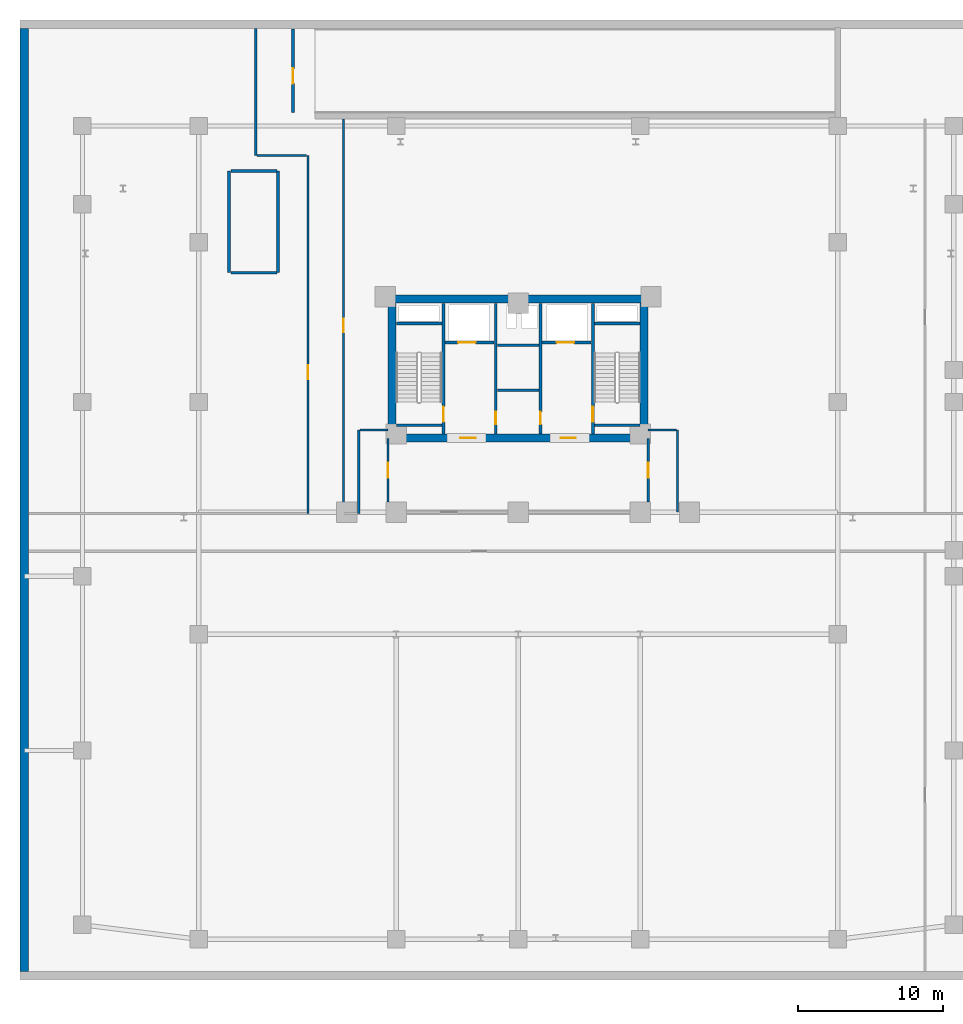
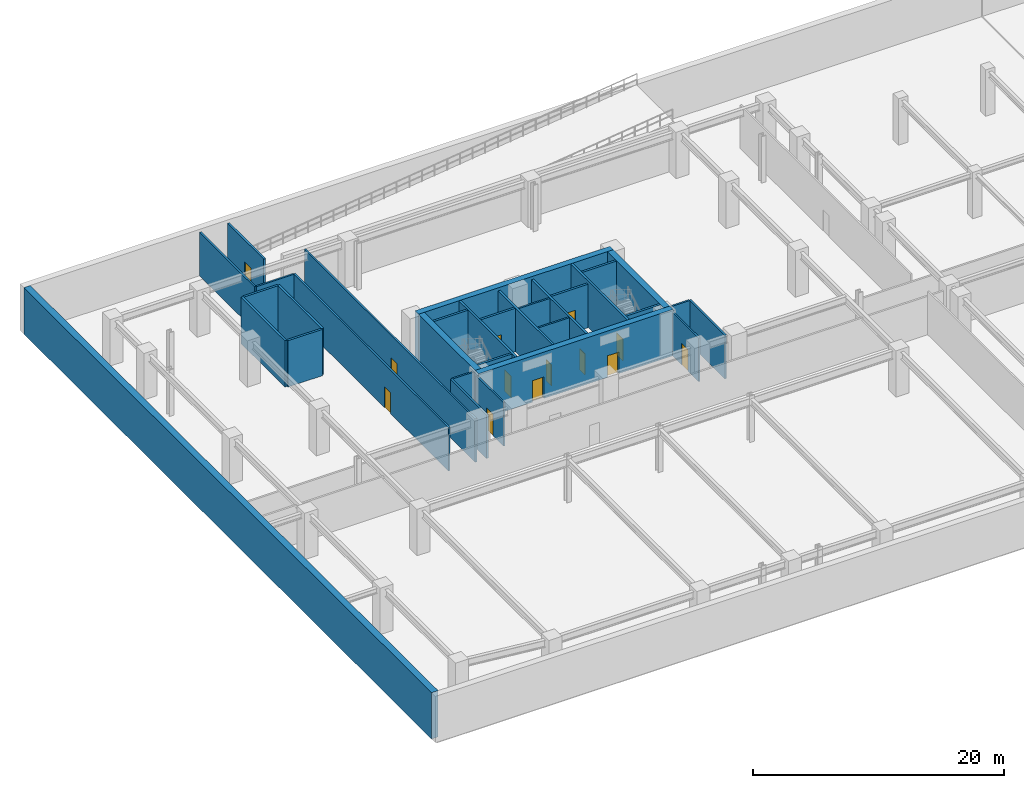
# One storey, part 9 of 15: 32 walls, 13 doors, 13 openings.
"""IFC4 building model written with IfcOpenShell, lengths in metres."""

from ifc_helpers import new_model, si_unit, derived_unit, direction, frame, frame_2d, origin, place, context, subcontext, project, spatial, rectangle, extrude, material, layer, layer_set, type_object, element, fill, save


model = new_model("IFC4")

# Units and contexts
model_context = context("Model", 3, precision=1e-05, world=origin(), true_north=direction((0.0, 1.0)))
body_context = subcontext(model_context, "Body", "Model", "MODEL_VIEW")
ifc_project = project(units=[si_unit("LENGTHUNIT", "METRE"), si_unit("AREAUNIT", "SQUARE_METRE"), si_unit("VOLUMEUNIT", "CUBIC_METRE"), si_unit("PLANEANGLEUNIT", "RADIAN"), si_unit("MASSUNIT", "GRAM", prefix="KILO"), derived_unit("THERMALTRANSMITTANCEUNIT", [(si_unit("POWERUNIT", "WATT"), 1), (si_unit("LENGTHUNIT", "METRE"), -2), (si_unit("THERMODYNAMICTEMPERATUREUNIT", "KELVIN"), -1)])], contexts=[model_context])

# Site, building, storey
site_placement = place(None, origin())
site = spatial("IfcSite", under=ifc_project, at=site_placement, CompositionType="ELEMENT")
building_placement = place(site_placement, origin())
building = spatial("IfcBuilding", under=site, at=building_placement, Name="Korsvarv Bourse and Concert Hall", CompositionType="ELEMENT")
storey_placement = place(building_placement, frame((0.0, 0.0, -4.5)))
storey = spatial("IfcBuildingStorey", under=building, at=storey_placement, Name="B01", CompositionType="ELEMENT", Elevation=-4.5)

# Walls
ifc_material_1 = material(Name="Concrete C50/60", Category="concrete")
ifc_layer_1 = layer(ifc_material_1, 0.3798828125)
ifc_layer_set_1 = layer_set([ifc_layer_1], Name="Concrete C50/60")
wall_type_1 = type_object("IfcWallType", Name="WL-CORE-380", PredefinedType="SHEAR", material=ifc_layer_set_1)
wall_1_placement = place(storey_placement, frame((16.10009765625, 48.919921875, 0.0), z_axis=(0.0, 0.0, 1.0), x_axis=(0.0, 1.0, 0.0)))
element("IfcWall", 1, at=wall_1_placement, inside=storey, type_object=wall_type_1, Name="B01 Podium Stair Substructure Wall W", PredefinedType="SHEAR", context=body_context, shape_type="SweptSolid", body=[
    extrude(rectangle(XDim=6.97998046875, YDim=0.199951171875, at=frame_2d((3.489990234375, 0.0))), origin(), (0.0, 0.0, 1.0), 4.5),
])
wall_2_placement = place(storey_placement, frame((16.219970703125, 55.89990234375, 0.0), z_axis=(0.0, 0.0, 1.0), x_axis=(1.0, 0.0, 0.0)))
element("IfcWall", 2, at=wall_2_placement, inside=storey, type_object=wall_type_1, Name="B01 Podium Stair Substructure Wall N", PredefinedType="SHEAR", context=body_context, shape_type="SweptSolid", body=[
    extrude(rectangle(XDim=3.159912109375, YDim=0.199951171875, at=frame_2d((1.580078125, 0.0))), origin(), (0.0, 0.0, 1.0), 4.5),
])
wall_3_placement = place(storey_placement, frame((19.4599609375, 48.919921875, 0.0), z_axis=(0.0, 0.0, 1.0), x_axis=(0.0, 1.0, 0.0)))
element("IfcWall", 3, at=wall_3_placement, inside=storey, type_object=wall_type_1, Name="B01 Podium Stair Substructure Wall E", PredefinedType="SHEAR", context=body_context, shape_type="SweptSolid", body=[
    extrude(rectangle(XDim=6.97998046875, YDim=0.199951171875, at=frame_2d((3.489990234375, 0.0))), origin(), (0.0, 0.0, 1.0), 4.5),
])
wall_4_placement = place(storey_placement, frame((16.219970703125, 48.89990234375, 0.0), z_axis=(0.0, 0.0, 1.0), x_axis=(1.0, 0.0, 0.0)))
element("IfcWall", 4, at=wall_4_placement, inside=storey, type_object=wall_type_1, Name="B01 Podium Stair Substructure Wall S", PredefinedType="SHEAR", context=body_context, shape_type="SweptSolid", body=[
    extrude(rectangle(XDim=3.159912109375, YDim=0.199951171875, at=frame_2d((1.580078125, 0.0))), origin(), (0.0, 0.0, 1.0), 4.5),
])

# Wall, opening, door
wall_5_placement = place(storey_placement, frame((30.860107421875, 37.81005859375, 0.0), z_axis=(0.0, 0.0, 1.0), x_axis=(0.0, 1.0, 0.0)))
wall_5 = element("IfcWall", 5, at=wall_5_placement, inside=storey, type_object=wall_type_1, Name="B01 stair shaft structural wall W-B01-ST1-E", PredefinedType="SHEAR", context=body_context, shape_type="SweptSolid", body=[
    extrude(rectangle(XDim=8.97998046875, YDim=0.199951171875, at=frame_2d((4.489990234375, 0.0))), origin(), (0.0, 0.0, 1.0), 4.5),
])
opening_1_placement = place(wall_5_placement, frame((0.820068359375, 0.0, 0.0)))
opening_1 = element("IfcOpeningElement", 6, at=opening_1_placement, cuts=wall_5, Name="Opening D-01", PredefinedType="OPENING", context=body_context, shape_type="SweptSolid", body=[
    extrude(rectangle(XDim=1.050048828125, YDim=2.10009765625, at=frame_2d((0.52490234375, 1.050048828125))), frame((0.0, 0.10986328125, 0.0), z_axis=(0.0, -1.0, 0.0), x_axis=(1.0, 0.0, 0.0)), (0.0, 0.0, 1.0), 0.219970703125),
])
ifc_material_2 = material(Name="Steel S355 fire door", Category="steel")
door_type_1 = type_object("IfcDoorType", Name="DR-FD60", OperationType="NOTDEFINED", PredefinedType="DOOR", material=ifc_material_2)
door_1_placement = place(opening_1_placement, origin())
door_1 = element("IfcDoor", 7, at=door_1_placement, inside=storey, type_object=door_type_1, Name="B01 interior door DR-B01-ST1", OperationType="SINGLE_SWING_LEFT", OverallHeight=2.10009765625, OverallWidth=1.050048828125, PredefinedType="DOOR", context=body_context, shape_type="SweptSolid", body=[
    extrude(rectangle(XDim=1.050048828125, YDim=2.10009765625, at=frame_2d((0.52490234375, 1.050048828125))), frame((0.0, 0.02490234375, 0.0), z_axis=(0.0, -1.0, 0.0), x_axis=(1.0, 0.0, 0.0)), (0.0, 0.0, 1.0), 0.050048828125),
])
fill(opening_1, door_1)

# Walls
for number, where, z_axis, x_axis, name in (
    (8, (27.610107421875, 45.39990234375, 0.0), (0.0, 0.0, 1.0), (1.0, 0.0, 0.0), "B01 stair shaft structural wall W-B01-ST1-N"),
    (9, (27.610107421875, 38.39990234375, 0.0), (0.0, 0.0, 1.0), (1.0, 0.0, 0.0), "B01 stair shaft structural wall W-B01-ST1-S"),
):
    element("IfcWall", number, at=place(storey_placement, frame(where, z_axis=z_axis, x_axis=x_axis)), inside=storey, type_object=wall_type_1, Name=name, PredefinedType="SHEAR", context=body_context, shape_type="SweptSolid", body=[
        extrude(rectangle(XDim=3.139892578125, YDim=0.199951171875, at=frame_2d((1.56982421875, 0.0))), origin(), (0.0, 0.0, 1.0), 4.5),
    ])

# Wall, opening, door
wall_6_placement = place(storey_placement, frame((41.139892578125, 37.81005859375, 0.0), z_axis=(0.0, 0.0, 1.0), x_axis=(0.0, 1.0, 0.0)))
wall_6 = element("IfcWall", 10, at=wall_6_placement, inside=storey, type_object=wall_type_1, Name="B01 stair shaft structural wall W-B01-ST2-W", PredefinedType="SHEAR", context=body_context, shape_type="SweptSolid", body=[
    extrude(rectangle(XDim=8.97998046875, YDim=0.199951171875, at=frame_2d((4.489990234375, 0.0))), origin(), (0.0, 0.0, 1.0), 4.5),
])
opening_2_placement = place(wall_6_placement, frame((0.820068359375, 0.0, 0.0)))
opening_2 = element("IfcOpeningElement", 11, at=opening_2_placement, cuts=wall_6, Name="Opening D-01", PredefinedType="OPENING", context=body_context, shape_type="SweptSolid", body=[
    extrude(rectangle(XDim=1.050048828125, YDim=2.10009765625, at=frame_2d((0.52490234375, 1.050048828125))), frame((0.0, 0.10986328125, 0.0), z_axis=(0.0, -1.0, 0.0), x_axis=(1.0, 0.0, 0.0)), (0.0, 0.0, 1.0), 0.219970703125),
])
door_2_placement = place(opening_2_placement, frame((1.050048828125, 0.0, 0.0), z_axis=(0.0, 0.0, 1.0), x_axis=(-1.0, 0.0, 0.0)))
door_2 = element("IfcDoor", 12, at=door_2_placement, inside=storey, type_object=door_type_1, Name="B01 interior door DR-B01-ST2", OperationType="SINGLE_SWING_RIGHT", OverallHeight=2.10009765625, OverallWidth=1.050048828125, PredefinedType="DOOR", context=body_context, shape_type="SweptSolid", body=[
    extrude(rectangle(XDim=1.050048828125, YDim=2.10009765625, at=frame_2d((0.52490234375, 1.050048828125))), frame((0.0, 0.02490234375, 0.0), z_axis=(0.0, -1.0, 0.0), x_axis=(1.0, 0.0, 0.0)), (0.0, 0.0, 1.0), 0.050048828125),
])
fill(opening_2, door_2)

# Walls
for number, where, z_axis, x_axis, name in (
    (13, (41.25, 45.39990234375, 0.0), (0.0, 0.0, 1.0), (1.0, 0.0, 0.0), "B01 stair shaft structural wall W-B01-ST2-N"),
    (14, (41.25, 38.39990234375, 0.0), (0.0, 0.0, 1.0), (1.0, 0.0, 0.0), "B01 stair shaft structural wall W-B01-ST2-S"),
):
    element("IfcWall", number, at=place(storey_placement, frame(where, z_axis=z_axis, x_axis=x_axis)), inside=storey, type_object=wall_type_1, Name=name, PredefinedType="SHEAR", context=body_context, shape_type="SweptSolid", body=[
        extrude(rectangle(XDim=3.139892578125, YDim=0.199951171875, at=frame_2d((1.56982421875, 0.0))), origin(), (0.0, 0.0, 1.0), 4.5),
    ])
ifc_material_3 = material(Name="Concrete C60/75", Category="concrete")
ifc_layer_2 = layer(ifc_material_3, 0.550048828125)
ifc_layer_set_2 = layer_set([ifc_layer_2], Name="Concrete C60/75")
wall_type_2 = type_object("IfcWallType", Name="WL-CORE-550", PredefinedType="SHEAR", material=ifc_layer_set_2)
wall_7_placement = place(storey_placement, frame((27.050048828125, 47.074951171875, 0.0), z_axis=(0.0, 0.0, 1.0), x_axis=(1.0, 0.0, 0.0)))
element("IfcWall", 15, at=wall_7_placement, inside=storey, type_object=wall_type_2, Name="B01 North Core Shear Wall", PredefinedType="SHEAR", context=body_context, shape_type="SweptSolid", body=[
    extrude(rectangle(XDim=17.89990234375, YDim=0.550048828125, at=frame_2d((8.949951171875, 0.0))), origin(), (0.0, 0.0, 1.0), 4.5),
])

# Wall, openings, doors
wall_8_placement = place(storey_placement, frame((27.050048828125, 37.52490234375, 0.0), z_axis=(0.0, 0.0, 1.0), x_axis=(1.0, 0.0, 0.0)))
wall_8 = element("IfcWall", 16, at=wall_8_placement, inside=storey, type_object=wall_type_2, Name="B01 South Core Shear Wall", PredefinedType="SHEAR", context=body_context, shape_type="SweptSolid", body=[
    extrude(rectangle(XDim=17.89990234375, YDim=0.550048828125, at=frame_2d((8.949951171875, 0.0))), origin(), (0.0, 0.0, 1.0), 4.5),
])
opening_3_placement = place(wall_8_placement, frame((4.97509765625, 0.0, 0.0)))
opening_3 = element("IfcOpeningElement", 17, at=opening_3_placement, cuts=wall_8, Name="Opening D-01", PredefinedType="OPENING", context=body_context, shape_type="SweptSolid", body=[
    extrude(rectangle(XDim=1.050048828125, YDim=2.10009765625, at=frame_2d((0.52490234375, 1.050048828125))), frame((0.0, 0.28515625, 0.0), z_axis=(0.0, -1.0, 0.0), x_axis=(1.0, 0.0, 0.0)), (0.0, 0.0, 1.0), 0.570068359375),
])
opening_4_placement = place(wall_8_placement, frame((11.875, 0.0, 0.0)))
opening_4 = element("IfcOpeningElement", 18, at=opening_4_placement, cuts=wall_8, Name="Opening D-01", PredefinedType="OPENING", context=body_context, shape_type="SweptSolid", body=[
    extrude(rectangle(XDim=1.050048828125, YDim=2.10009765625, at=frame_2d((0.52490234375, 1.050048828125))), frame((0.0, 0.28515625, 0.0), z_axis=(0.0, -1.0, 0.0), x_axis=(1.0, 0.0, 0.0)), (0.0, 0.0, 1.0), 0.570068359375),
])
door_3_placement = place(opening_3_placement, frame((1.050048828125, 0.0, 0.0), z_axis=(0.0, 0.0, 1.0), x_axis=(-1.0, 0.0, 0.0)))
door_3 = element("IfcDoor", 19, at=door_3_placement, inside=storey, type_object=door_type_1, Name="B01 firefighting lobby fire door DR-B01-FFLW", OperationType="SINGLE_SWING_LEFT", OverallHeight=2.10009765625, OverallWidth=1.050048828125, PredefinedType="DOOR", context=body_context, shape_type="SweptSolid", body=[
    extrude(rectangle(XDim=1.050048828125, YDim=2.10009765625, at=frame_2d((0.52490234375, 1.050048828125))), frame((0.0, 0.02490234375, 0.0), z_axis=(0.0, -1.0, 0.0), x_axis=(1.0, 0.0, 0.0)), (0.0, 0.0, 1.0), 0.050048828125),
])
fill(opening_3, door_3)
door_4_placement = place(opening_4_placement, frame((1.050048828125, 0.0, 0.0), z_axis=(0.0, 0.0, 1.0), x_axis=(-1.0, 0.0, 0.0)))
door_4 = element("IfcDoor", 20, at=door_4_placement, inside=storey, type_object=door_type_1, Name="B01 firefighting lobby fire door DR-B01-FFLE", OperationType="SINGLE_SWING_RIGHT", OverallHeight=2.10009765625, OverallWidth=1.050048828125, PredefinedType="DOOR", context=body_context, shape_type="SweptSolid", body=[
    extrude(rectangle(XDim=1.050048828125, YDim=2.10009765625, at=frame_2d((0.52490234375, 1.050048828125))), frame((0.0, 0.02490234375, 0.0), z_axis=(0.0, -1.0, 0.0), x_axis=(1.0, 0.0, 0.0)), (0.0, 0.0, 1.0), 0.050048828125),
])
fill(opening_4, door_4)

# Walls
for number, where, z_axis, x_axis, name in (
    (21, (27.324951171875, 37.800048828125, 0.0), (0.0, 0.0, 1.0), (0.0, 1.0, 0.0), "B01 West Core Shear Wall"),
    (22, (44.675048828125, 37.800048828125, 0.0), (0.0, 0.0, 1.0), (0.0, 1.0, 0.0), "B01 East Core Shear Wall"),
):
    element("IfcWall", number, at=place(storey_placement, frame(where, z_axis=z_axis, x_axis=x_axis)), inside=storey, type_object=wall_type_2, Name=name, PredefinedType="SHEAR", context=body_context, shape_type="SweptSolid", body=[
        extrude(rectangle(XDim=9.0, YDim=0.550048828125, at=frame_2d((4.5, 0.0))), origin(), (0.0, 0.0, 1.0), 4.5),
    ])

# Wall, opening, door
ifc_material_4 = material(Name="Reinforced concrete blockwork C35/45 fire wall", Category="concrete")
ifc_layer_3 = layer(ifc_material_4, 0.199951171875)
ifc_layer_set_3 = layer_set([ifc_layer_3], Name="Reinforced concrete blockwork C35/45 fire wall")
wall_type_3 = type_object("IfcWallType", Name="WL-INT-EI120", PredefinedType="PARTITIONING", material=ifc_layer_set_3)
wall_9_placement = place(storey_placement, frame((30.969970703125, 44.10009765625, 0.0), z_axis=(0.0, 0.0, 1.0), x_axis=(1.0, 0.0, 0.0)))
wall_9 = element("IfcWall", 23, at=wall_9_placement, inside=storey, type_object=wall_type_3, Name="B01 interior partition wall W-B01-FF1-S", PredefinedType="PARTITIONING", context=body_context, shape_type="SweptSolid", body=[
    extrude(rectangle(XDim=3.380126953125, YDim=0.199951171875, at=frame_2d((1.68994140625, 0.0))), origin(), (0.0, 0.0, 1.0), 4.219970703125),
])
opening_5_placement = place(wall_9_placement, frame((0.89990234375, 0.0, 0.0)))
opening_5 = element("IfcOpeningElement", 24, at=opening_5_placement, cuts=wall_9, Name="Opening LD-1", PredefinedType="OPENING", context=body_context, shape_type="SweptSolid", body=[
    extrude(rectangle(XDim=1.199951171875, YDim=2.10009765625, at=frame_2d((0.60009765625, 1.050048828125))), frame((0.0, 0.10986328125, 0.0), z_axis=(0.0, -1.0, 0.0), x_axis=(1.0, 0.0, 0.0)), (0.0, 0.0, 1.0), 0.219970703125),
])
ifc_material_5 = material(Name="Stainless Steel S355 firefighting lift landing door", Category="steel")
door_type_2 = type_object("IfcDoorType", Name="DR-LIFT-FF", OperationType="DOUBLE_DOOR_SLIDING", PredefinedType="DOOR", material=ifc_material_5)
door_5_placement = place(opening_5_placement, origin())
door_5 = element("IfcDoor", 25, at=door_5_placement, inside=storey, type_object=door_type_2, Name="B01 lift sliding landing door LD-B01-FF1", OperationType="DOUBLE_DOOR_SLIDING", OverallHeight=2.10009765625, OverallWidth=1.199951171875, PredefinedType="DOOR", context=body_context, shape_type="SweptSolid", body=[
    extrude(rectangle(XDim=1.199951171875, YDim=2.10009765625, at=frame_2d((0.60009765625, 1.050048828125))), frame((0.0, 0.02490234375, 0.0), z_axis=(0.0, -1.0, 0.0), x_axis=(1.0, 0.0, 0.0)), (0.0, 0.0, 1.0), 0.050048828125),
])
fill(opening_5, door_5)

wall_10_placement = place(storey_placement, frame((37.64990234375, 44.10009765625, 0.0), z_axis=(0.0, 0.0, 1.0), x_axis=(1.0, 0.0, 0.0)))
wall_10 = element("IfcWall", 26, at=wall_10_placement, inside=storey, type_object=wall_type_3, Name="B01 interior partition wall W-B01-FF2-S", PredefinedType="PARTITIONING", context=body_context, shape_type="SweptSolid", body=[
    extrude(rectangle(XDim=3.380126953125, YDim=0.199951171875, at=frame_2d((1.68994140625, 0.0))), origin(), (0.0, 0.0, 1.0), 4.219970703125),
])
opening_6_placement = place(wall_10_placement, frame((1.0, 0.0, 0.0)))
opening_6 = element("IfcOpeningElement", 27, at=opening_6_placement, cuts=wall_10, Name="Opening LD-1", PredefinedType="OPENING", context=body_context, shape_type="SweptSolid", body=[
    extrude(rectangle(XDim=1.199951171875, YDim=2.10009765625, at=frame_2d((0.60009765625, 1.050048828125))), frame((0.0, 0.10986328125, 0.0), z_axis=(0.0, -1.0, 0.0), x_axis=(1.0, 0.0, 0.0)), (0.0, 0.0, 1.0), 0.219970703125),
])
door_6_placement = place(opening_6_placement, origin())
door_6 = element("IfcDoor", 28, at=door_6_placement, inside=storey, type_object=door_type_2, Name="B01 lift sliding landing door LD-B01-FF2", OperationType="DOUBLE_DOOR_SLIDING", OverallHeight=2.10009765625, OverallWidth=1.199951171875, PredefinedType="DOOR", context=body_context, shape_type="SweptSolid", body=[
    extrude(rectangle(XDim=1.199951171875, YDim=2.10009765625, at=frame_2d((0.60009765625, 1.050048828125))), frame((0.0, 0.02490234375, 0.0), z_axis=(0.0, -1.0, 0.0), x_axis=(1.0, 0.0, 0.0)), (0.0, 0.0, 1.0), 0.050048828125),
])
fill(opening_6, door_6)

wall_11_placement = place(storey_placement, frame((34.4599609375, 37.81005859375, 0.0), z_axis=(0.0, 0.0, 1.0), x_axis=(0.0, 1.0, 0.0)))
wall_11 = element("IfcWall", 29, at=wall_11_placement, inside=storey, type_object=wall_type_3, Name="B01 interior partition wall W-B01-CSB-W", PredefinedType="PARTITIONING", context=body_context, shape_type="SweptSolid", body=[
    extrude(rectangle(XDim=8.97998046875, YDim=0.199951171875, at=frame_2d((4.489990234375, 0.0))), origin(), (0.0, 0.0, 1.0), 4.219970703125),
])
opening_7_placement = place(wall_11_placement, frame((0.64990234375, 0.0, 0.0)))
opening_7 = element("IfcOpeningElement", 30, at=opening_7_placement, cuts=wall_11, Name="Opening D-05", PredefinedType="OPENING", context=body_context, shape_type="SweptSolid", body=[
    extrude(rectangle(XDim=0.85009765625, YDim=2.050048828125, at=frame_2d((0.425048828125, 1.02490234375))), frame((0.0, 0.10986328125, 0.0), z_axis=(0.0, -1.0, 0.0), x_axis=(1.0, 0.0, 0.0)), (0.0, 0.0, 1.0), 0.219970703125),
])
door_type_3 = type_object("IfcDoorType", Name="DR-FD60-850X2050", OperationType="NOTDEFINED", PredefinedType="DOOR", material=ifc_material_2)
door_7_placement = place(opening_7_placement, frame((0.85009765625, 0.0, 0.0), z_axis=(0.0, 0.0, 1.0), x_axis=(-1.0, 0.0, 0.0)))
door_7 = element("IfcDoor", 31, at=door_7_placement, inside=storey, type_object=door_type_3, Name="B01 interior door DR-B01-CSB1", OperationType="SINGLE_SWING_LEFT", OverallHeight=2.050048828125, OverallWidth=0.85009765625, PredefinedType="DOOR", context=body_context, shape_type="SweptSolid", body=[
    extrude(rectangle(XDim=0.85009765625, YDim=2.050048828125, at=frame_2d((0.425048828125, 1.02490234375))), frame((0.0, 0.02490234375, 0.0), z_axis=(0.0, -1.0, 0.0), x_axis=(1.0, 0.0, 0.0)), (0.0, 0.0, 1.0), 0.050048828125),
])
fill(opening_7, door_7)

wall_12_placement = place(storey_placement, frame((37.5400390625, 37.81005859375, 0.0), z_axis=(0.0, 0.0, 1.0), x_axis=(0.0, 1.0, 0.0)))
wall_12 = element("IfcWall", 32, at=wall_12_placement, inside=storey, type_object=wall_type_3, Name="B01 interior partition wall W-B01-CSB-E", PredefinedType="PARTITIONING", context=body_context, shape_type="SweptSolid", body=[
    extrude(rectangle(XDim=8.97998046875, YDim=0.199951171875, at=frame_2d((4.489990234375, 0.0))), origin(), (0.0, 0.0, 1.0), 4.219970703125),
])
opening_8_placement = place(wall_12_placement, frame((0.64990234375, 0.0, 0.0)))
opening_8 = element("IfcOpeningElement", 33, at=opening_8_placement, cuts=wall_12, Name="Opening D-05", PredefinedType="OPENING", context=body_context, shape_type="SweptSolid", body=[
    extrude(rectangle(XDim=0.85009765625, YDim=2.050048828125, at=frame_2d((0.425048828125, 1.02490234375))), frame((0.0, 0.10986328125, 0.0), z_axis=(0.0, -1.0, 0.0), x_axis=(1.0, 0.0, 0.0)), (0.0, 0.0, 1.0), 0.219970703125),
])
door_8_placement = place(opening_8_placement, origin())
door_8 = element("IfcDoor", 34, at=door_8_placement, inside=storey, type_object=door_type_3, Name="B01 interior door DR-B01-CSB2", OperationType="SINGLE_SWING_RIGHT", OverallHeight=2.050048828125, OverallWidth=0.85009765625, PredefinedType="DOOR", context=body_context, shape_type="SweptSolid", body=[
    extrude(rectangle(XDim=0.85009765625, YDim=2.050048828125, at=frame_2d((0.425048828125, 1.02490234375))), frame((0.0, 0.02490234375, 0.0), z_axis=(0.0, -1.0, 0.0), x_axis=(1.0, 0.0, 0.0)), (0.0, 0.0, 1.0), 0.050048828125),
])
fill(opening_8, door_8)

# Walls
ifc_material_6 = material(Name="Double-stud fire-rated acoustic partition", Category="gypsum")
ifc_layer_4 = layer(ifc_material_6, 0.159912109375)
ifc_layer_set_4 = layer_set([ifc_layer_4], Name="Double-stud fire-rated acoustic partition")
wall_type_4 = type_object("IfcWallType", Name="WL-INT-EI60", PredefinedType="PARTITIONING", material=ifc_layer_set_4)
for number, where, z_axis, x_axis, name in (
    (35, (34.570068359375, 40.800048828125, 0.0), (0.0, 0.0, 1.0), (1.0, 0.0, 0.0), "B01 interior partition wall W-B01-K1"),
    (36, (34.570068359375, 43.89990234375, 0.0), (0.0, 0.0, 1.0), (1.0, 0.0, 0.0), "B01 interior partition wall W-B01-K2"),
):
    element("IfcWall", number, at=place(storey_placement, frame(where, z_axis=z_axis, x_axis=x_axis)), inside=storey, type_object=wall_type_4, Name=name, PredefinedType="PARTITIONING", context=body_context, shape_type="SweptSolid", body=[
        extrude(rectangle(XDim=2.85986328125, YDim=0.159912109375, at=frame_2d((1.429931640625, 0.0))), origin(), (0.0, 0.0, 1.0), 4.219970703125),
    ])

# Wall, opening, door
wall_13_placement = place(storey_placement, frame((27.0400390625, 33.1201171875, 0.0), z_axis=(0.0, 0.0, 1.0), x_axis=(0.0, 1.0, 0.0)))
wall_13 = element("IfcWall", 37, at=wall_13_placement, inside=storey, type_object=wall_type_4, Name="B01 interior partition wall W-B01-CB-W", PredefinedType="PARTITIONING", context=body_context, shape_type="SweptSolid", body=[
    extrude(rectangle(XDim=4.3798828125, YDim=0.159912109375, at=frame_2d((2.18994140625, 0.0))), origin(), (0.0, 0.0, 1.0), 4.219970703125),
])
opening_9_placement = place(wall_13_placement, frame((1.64990234375, 0.0, 0.0)))
opening_9 = element("IfcOpeningElement", 38, at=opening_9_placement, cuts=wall_13, Name="Opening D-01", PredefinedType="OPENING", context=body_context, shape_type="SweptSolid", body=[
    extrude(rectangle(XDim=1.050048828125, YDim=2.10009765625, at=frame_2d((0.52490234375, 1.050048828125))), frame((0.0, 0.08984375, 0.0), z_axis=(0.0, -1.0, 0.0), x_axis=(1.0, 0.0, 0.0)), (0.0, 0.0, 1.0), 0.179931640625),
])
door_9_placement = place(opening_9_placement, frame((1.050048828125, 0.0, 0.0), z_axis=(0.0, 0.0, 1.0), x_axis=(-1.0, 0.0, 0.0)))
door_9 = element("IfcDoor", 39, at=door_9_placement, inside=storey, type_object=door_type_1, Name="B01 interior door DR-B01-CLOB-W", OperationType="SINGLE_SWING_RIGHT", OverallHeight=2.10009765625, OverallWidth=1.050048828125, PredefinedType="DOOR", context=body_context, shape_type="SweptSolid", body=[
    extrude(rectangle(XDim=1.050048828125, YDim=2.10009765625, at=frame_2d((0.52490234375, 1.050048828125))), frame((0.0, 0.02490234375, 0.0), z_axis=(0.0, -1.0, 0.0), x_axis=(1.0, 0.0, 0.0)), (0.0, 0.0, 1.0), 0.050048828125),
])
fill(opening_9, door_9)

wall_14_placement = place(storey_placement, frame((44.9599609375, 33.1201171875, 0.0), z_axis=(0.0, 0.0, 1.0), x_axis=(0.0, 1.0, 0.0)))
wall_14 = element("IfcWall", 40, at=wall_14_placement, inside=storey, type_object=wall_type_4, Name="B01 interior partition wall W-B01-CB-E", PredefinedType="PARTITIONING", context=body_context, shape_type="SweptSolid", body=[
    extrude(rectangle(XDim=4.3798828125, YDim=0.159912109375, at=frame_2d((2.18994140625, 0.0))), origin(), (0.0, 0.0, 1.0), 4.219970703125),
])
opening_10_placement = place(wall_14_placement, frame((1.64990234375, 0.0, 0.0)))
opening_10 = element("IfcOpeningElement", 41, at=opening_10_placement, cuts=wall_14, Name="Opening D-01", PredefinedType="OPENING", context=body_context, shape_type="SweptSolid", body=[
    extrude(rectangle(XDim=1.050048828125, YDim=2.10009765625, at=frame_2d((0.52490234375, 1.050048828125))), frame((0.0, 0.08984375, 0.0), z_axis=(0.0, -1.0, 0.0), x_axis=(1.0, 0.0, 0.0)), (0.0, 0.0, 1.0), 0.179931640625),
])
door_10_placement = place(opening_10_placement, origin())
door_10 = element("IfcDoor", 42, at=door_10_placement, inside=storey, type_object=door_type_1, Name="B01 interior door DR-B01-CLOB-E", OperationType="SINGLE_SWING_LEFT", OverallHeight=2.10009765625, OverallWidth=1.050048828125, PredefinedType="DOOR", context=body_context, shape_type="SweptSolid", body=[
    extrude(rectangle(XDim=1.050048828125, YDim=2.10009765625, at=frame_2d((0.52490234375, 1.050048828125))), frame((0.0, 0.02490234375, 0.0), z_axis=(0.0, -1.0, 0.0), x_axis=(1.0, 0.0, 0.0)), (0.0, 0.0, 1.0), 0.050048828125),
])
fill(opening_10, door_10)

wall_15_placement = place(storey_placement, frame((23.97509765625, 32.320068359375, 0.0), z_axis=(0.0, 0.0, 1.0), x_axis=(0.0, 1.0, 0.0)))
wall_15 = element("IfcWall", 43, at=wall_15_placement, inside=storey, type_object=wall_type_4, Name="B01 interior partition wall W-B01-BCOR-03", PredefinedType="PARTITIONING", context=body_context, shape_type="SweptSolid", body=[
    extrude(rectangle(XDim=27.177978515625, YDim=0.159912109375, at=frame_2d((13.5888671875, 0.0))), origin(), (0.0, 0.0, 1.0), 4.219970703125),
])
opening_11_placement = place(wall_15_placement, frame((12.46337890625, 0.0, 0.0)))
opening_11 = element("IfcOpeningElement", 44, at=opening_11_placement, cuts=wall_15, Name="Opening D-02", PredefinedType="OPENING", context=body_context, shape_type="SweptSolid", body=[
    extrude(rectangle(XDim=0.949951171875, YDim=2.050048828125, at=frame_2d((0.47509765625, 1.02490234375))), frame((0.0, 0.08984375, 0.0), z_axis=(0.0, -1.0, 0.0), x_axis=(1.0, 0.0, 0.0)), (0.0, 0.0, 1.0), 0.179931640625),
])
ifc_material_7 = material(Name="Timber and steel acoustic fire door", Category="wood")
door_type_4 = type_object("IfcDoorType", Name="DR-FD30", OperationType="NOTDEFINED", PredefinedType="DOOR", material=ifc_material_7)
door_11_placement = place(opening_11_placement, origin())
door_11 = element("IfcDoor", 45, at=door_11_placement, inside=storey, type_object=door_type_4, Name="B01 interior door DR-B01-BCOR-CAR33", OperationType="SINGLE_SWING_LEFT", OverallHeight=2.050048828125, OverallWidth=0.949951171875, PredefinedType="DOOR", context=body_context, shape_type="SweptSolid", body=[
    extrude(rectangle(XDim=0.949951171875, YDim=2.050048828125, at=frame_2d((0.47509765625, 1.02490234375))), frame((0.0, 0.02490234375, 0.0), z_axis=(0.0, -1.0, 0.0), x_axis=(1.0, 0.0, 0.0)), (0.0, 0.0, 1.0), 0.050048828125),
])
fill(opening_11, door_11)

wall_16_placement = place(storey_placement, frame((21.52490234375, 32.320068359375, 0.0), z_axis=(0.0, 0.0, 1.0), x_axis=(0.0, 1.0, 0.0)))
wall_16 = element("IfcWall", 46, at=wall_16_placement, inside=storey, type_object=wall_type_4, Name="B01 interior partition wall W-B01-BCOR-04", PredefinedType="PARTITIONING", context=body_context, shape_type="SweptSolid", body=[
    extrude(rectangle(XDim=24.659912109375, YDim=0.159912109375, at=frame_2d((12.330078125, 0.0))), origin(), (0.0, 0.0, 1.0), 4.219970703125),
])
opening_12_placement = place(wall_16_placement, frame((9.243408203125, 0.0, 0.0)))
opening_12 = element("IfcOpeningElement", 47, at=opening_12_placement, cuts=wall_16, Name="Opening D-02", PredefinedType="OPENING", context=body_context, shape_type="SweptSolid", body=[
    extrude(rectangle(XDim=0.949951171875, YDim=2.050048828125, at=frame_2d((0.47509765625, 1.02490234375))), frame((0.0, 0.08984375, 0.0), z_axis=(0.0, -1.0, 0.0), x_axis=(1.0, 0.0, 0.0)), (0.0, 0.0, 1.0), 0.179931640625),
])
door_12_placement = place(opening_12_placement, origin())
door_12 = element("IfcDoor", 48, at=door_12_placement, inside=storey, type_object=door_type_4, Name="B01 interior door DR-B01-BCOR-CAR25", OperationType="SINGLE_SWING_RIGHT", OverallHeight=2.050048828125, OverallWidth=0.949951171875, PredefinedType="DOOR", context=body_context, shape_type="SweptSolid", body=[
    extrude(rectangle(XDim=0.949951171875, YDim=2.050048828125, at=frame_2d((0.47509765625, 1.02490234375))), frame((0.0, 0.02490234375, 0.0), z_axis=(0.0, -1.0, 0.0), x_axis=(1.0, 0.0, 0.0)), (0.0, 0.0, 1.0), 0.050048828125),
])
fill(opening_12, door_12)

# Walls
wall_17_placement = place(storey_placement, frame((17.925048828125, 56.969970703125, 0.0), z_axis=(0.0, 0.0, 1.0), x_axis=(0.0, 1.0, 0.0)))
element("IfcWall", 49, at=wall_17_placement, inside=storey, type_object=wall_type_4, Name="B01 interior partition wall W-B01-BCOR-06", PredefinedType="PARTITIONING", context=body_context, shape_type="SweptSolid", body=[
    extrude(rectangle(XDim=8.72802734375, YDim=0.159912109375, at=frame_2d((4.364013671875, 0.0))), origin(), (0.0, 0.0, 1.0), 4.219970703125),
])
wall_18_placement = place(storey_placement, frame((25.02490234375, 32.320068359375, 0.0), z_axis=(0.0, 0.0, 1.0), x_axis=(0.0, 1.0, 0.0)))
element("IfcWall", 50, at=wall_18_placement, inside=storey, type_object=wall_type_4, Name="B01 interior partition wall W-B01-BCOR-07", PredefinedType="PARTITIONING", context=body_context, shape_type="SweptSolid", body=[
    extrude(rectangle(XDim=5.760009765625, YDim=0.159912109375, at=frame_2d((2.8798828125, 0.0))), origin(), (0.0, 0.0, 1.0), 4.219970703125),
])
wall_19_placement = place(storey_placement, frame((46.97509765625, 32.406982421875, 0.0), z_axis=(0.0, 0.0, 1.0), x_axis=(0.0, 1.0, 0.0)))
element("IfcWall", 51, at=wall_19_placement, inside=storey, type_object=wall_type_4, Name="B01 interior partition wall W-B01-BCOR-08", PredefinedType="PARTITIONING", context=body_context, shape_type="SweptSolid", body=[
    extrude(rectangle(XDim=5.673095703125, YDim=0.159912109375, at=frame_2d((2.83642578125, 0.0))), origin(), (0.0, 0.0, 1.0), 4.219970703125),
])
wall_20_placement = place(storey_placement, frame((18.007080078125, 56.97509765625, 0.0), z_axis=(0.0, 0.0, 1.0), x_axis=(1.0, 0.0, 0.0)))
element("IfcWall", 52, at=wall_20_placement, inside=storey, type_object=wall_type_4, Name="B01 interior partition wall W-B01-BCOR-09", PredefinedType="PARTITIONING", context=body_context, shape_type="SweptSolid", body=[
    extrude(rectangle(XDim=3.43603515625, YDim=0.159912109375, at=frame_2d((1.718017578125, 0.0))), origin(), (0.0, 0.0, 1.0), 4.219970703125),
])
for number, where, z_axis, x_axis, name in (
    (53, (25.10693359375, 38.074951171875, 0.0), (0.0, 0.0, 1.0), (1.0, 0.0, 0.0), "B01 interior partition wall W-B01-BCOR-10"),
    (54, (44.951904296875, 38.074951171875, 0.0), (0.0, 0.0, 1.0), (1.0, 0.0, 0.0), "B01 interior partition wall W-B01-BCOR-11"),
):
    element("IfcWall", number, at=place(storey_placement, frame(where, z_axis=z_axis, x_axis=x_axis)), inside=storey, type_object=wall_type_4, Name=name, PredefinedType="PARTITIONING", context=body_context, shape_type="SweptSolid", body=[
        extrude(rectangle(XDim=1.941162109375, YDim=0.159912109375, at=frame_2d((0.970703125, 0.0))), origin(), (0.0, 0.0, 1.0), 4.219970703125),
    ])

# Wall, opening, door
ifc_material_8 = material(Name="Gypsum-clad autoclaved concrete shaft wall C30/37", Category="concrete")
ifc_layer_5 = layer(ifc_material_8, 0.179931640625)
ifc_layer_set_5 = layer_set([ifc_layer_5], Name="Gypsum-clad autoclaved concrete shaft wall C30/37")
wall_type_5 = type_object("IfcWallType", Name="WL-INT-EI90", PredefinedType="PARTITIONING", material=ifc_layer_set_5)
wall_21_placement = place(storey_placement, frame((20.5, 59.919921875, 0.0), z_axis=(0.0, 0.0, 1.0), x_axis=(0.0, 1.0, 0.0)))
wall_21 = element("IfcWall", 55, at=wall_21_placement, inside=storey, type_object=wall_type_5, Name="B01 interior partition wall W-B01-RMP-W", PredefinedType="PARTITIONING", context=body_context, shape_type="SweptSolid", body=[
    extrude(rectangle(XDim=5.760009765625, YDim=0.179931640625, at=frame_2d((2.8798828125, 0.0))), origin(), (0.0, 0.0, 1.0), 4.219970703125),
])
opening_13_placement = place(wall_21_placement, frame((2.0, 0.0, 0.0)))
opening_13 = element("IfcOpeningElement", 56, at=opening_13_placement, cuts=wall_21, Name="Opening D-01", PredefinedType="OPENING", context=body_context, shape_type="SweptSolid", body=[
    extrude(rectangle(XDim=1.050048828125, YDim=2.10009765625, at=frame_2d((0.52490234375, 1.050048828125))), frame((0.0, 0.10009765625, 0.0), z_axis=(0.0, -1.0, 0.0), x_axis=(1.0, 0.0, 0.0)), (0.0, 0.0, 1.0), 0.199951171875),
])
door_13_placement = place(opening_13_placement, frame((1.050048828125, 0.0, 0.0), z_axis=(0.0, 0.0, 1.0), x_axis=(-1.0, 0.0, 0.0)))
door_13 = element("IfcDoor", 57, at=door_13_placement, inside=storey, type_object=door_type_1, Name="B01 interior door DR-B01-RMP1", OperationType="SINGLE_SWING_LEFT", OverallHeight=2.10009765625, OverallWidth=1.050048828125, PredefinedType="DOOR", context=body_context, shape_type="SweptSolid", body=[
    extrude(rectangle(XDim=1.050048828125, YDim=2.10009765625, at=frame_2d((0.52490234375, 1.050048828125))), frame((0.0, 0.02490234375, 0.0), z_axis=(0.0, -1.0, 0.0), x_axis=(1.0, 0.0, 0.0)), (0.0, 0.0, 1.0), 0.050048828125),
])
fill(opening_13, door_13)

# Wall
ifc_layer_6 = layer(ifc_material_1, 0.60009765625)
ifc_layer_set_6 = layer_set([ifc_layer_6], Name="Concrete C50/60")
wall_type_6 = type_object("IfcWallType", Name="WL-RET-600", PredefinedType="SOLIDWALL", material=ifc_layer_set_6)
wall_22_placement = place(storey_placement, frame((2.0, 0.800048828125, 0.0), z_axis=(0.0, 0.0, 1.0), x_axis=(0.0, 1.0, 0.0)))
element("IfcWall", 58, at=wall_22_placement, inside=storey, type_object=wall_type_6, Name="B01 West Basement Retaining Wall", PredefinedType="SOLIDWALL", context=body_context, shape_type="SweptSolid", body=[
    extrude(rectangle(XDim=64.89990234375, YDim=0.60009765625, at=frame_2d((32.449951171875, 0.0))), origin(), (0.0, 0.0, 1.0), 4.5),
])

save(model, "model.ifc")
